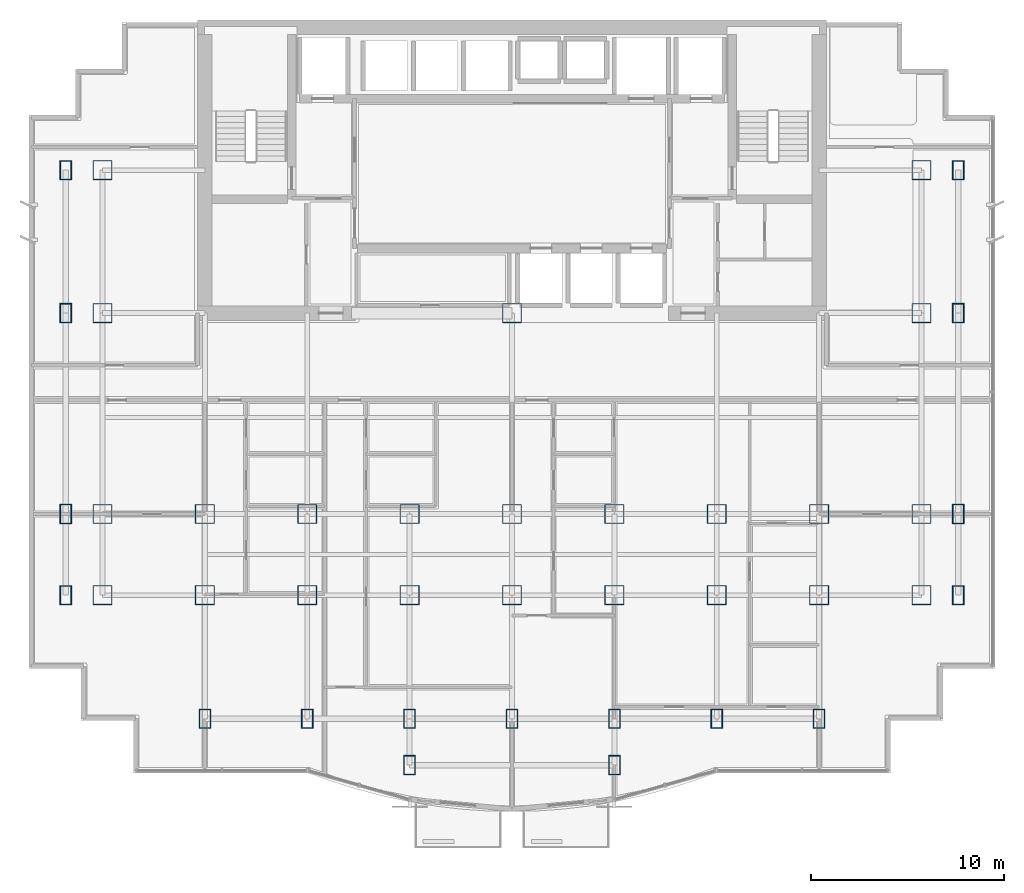
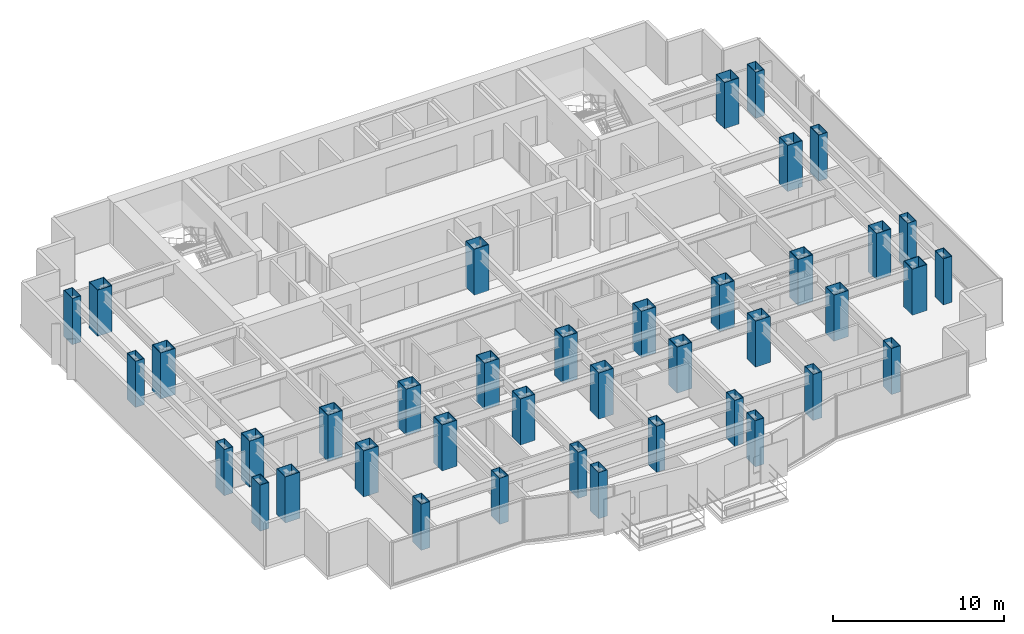
# One storey, part 1 of 12: 40 columns.
"""IFC4 building model written with IfcOpenShell, lengths in metres."""

from ifc_helpers import new_model, si_unit, direction, frame, origin, origin_2d, place, context, subcontext, project, spatial, hollow_rectangle, extrude, material, material_profile, profile_set, type_object, element, save


model = new_model("IFC4")

# Units and contexts
model_context = context("Model", 3, precision=1e-05, world=origin(), true_north=direction((0.0, 1.0)))
body_context = subcontext(model_context, "Body", "Model", "MODEL_VIEW")
ifc_project = project(units=[si_unit("LENGTHUNIT", "METRE"), si_unit("AREAUNIT", "SQUARE_METRE"), si_unit("VOLUMEUNIT", "CUBIC_METRE"), si_unit("PLANEANGLEUNIT", "RADIAN"), si_unit("MASSUNIT", "GRAM", prefix="KILO")], contexts=[model_context])

# Site, building, storey
site_placement = place(None, origin())
site = spatial("IfcSite", under=ifc_project, at=site_placement, CompositionType="ELEMENT")
building_placement = place(site_placement, origin())
building = spatial("IfcBuilding", under=site, at=building_placement, Name="Qianlan Lanfeng Residences", CompositionType="ELEMENT")
storey_placement = place(building_placement, frame((0.0, 0.0, 85.0)))
storey = spatial("IfcBuildingStorey", under=building, at=storey_placement, Name="L22", CompositionType="ELEMENT", Elevation=85.0)

# Columns
ifc_material = material(Name="Steel SN490B", Category="steel")
ifc_material_profile_1 = material_profile(ifc_material, hollow_rectangle(XDim=1.0, YDim=1.0, WallThickness=0.035888671875, at=origin_2d()), Name="BOX 1000x1000x36")
ifc_profile_set_1 = profile_set([ifc_material_profile_1], Name="Steel SN490B")
column_type_1 = type_object("IfcColumnType", Name="C-B1200", PredefinedType="COLUMN", material=ifc_profile_set_1)
for number, where, z_axis, x_axis, name in (
    (1, (26.5, 25.199951171875, 0.0), (0.0, 0.0, 1.0), (1.0, 0.0, 0.0), "L22 Structural Column CP_26.5_25.2"),
    (2, (10.60009765625, 14.800048828125, 0.0), (0.0, 0.0, 1.0), (1.0, 0.0, 0.0), "L22 Structural Column M_10.60_14.80"),
    (3, (10.60009765625, 10.60009765625, 0.0), (0.0, 0.0, 1.0), (1.0, 0.0, 0.0), "L22 Structural Column G_10.60_10.60"),
    (4, (15.89990234375, 14.800048828125, 0.0), (0.0, 0.0, 1.0), (1.0, 0.0, 0.0), "L22 Structural Column M_15.90_14.80"),
    (5, (15.89990234375, 10.60009765625, 0.0), (0.0, 0.0, 1.0), (1.0, 0.0, 0.0), "L22 Structural Column G_15.90_10.60"),
    (6, (21.199951171875, 14.800048828125, 0.0), (0.0, 0.0, 1.0), (1.0, 0.0, 0.0), "L22 Structural Column M_21.20_14.80"),
    (7, (21.199951171875, 10.60009765625, 0.0), (0.0, 0.0, 1.0), (1.0, 0.0, 0.0), "L22 Structural Column G_21.20_10.60"),
    (8, (26.5, 14.800048828125, 0.0), (0.0, 0.0, 1.0), (1.0, 0.0, 0.0), "L22 Structural Column M_26.50_14.80"),
    (9, (26.5, 10.60009765625, 0.0), (0.0, 0.0, 1.0), (1.0, 0.0, 0.0), "L22 Structural Column G_26.50_10.60"),
    (10, (31.800048828125, 14.800048828125, 0.0), (0.0, 0.0, 1.0), (1.0, 0.0, 0.0), "L22 Structural Column M_31.80_14.80"),
    (11, (31.800048828125, 10.60009765625, 0.0), (0.0, 0.0, 1.0), (1.0, 0.0, 0.0), "L22 Structural Column G_31.80_10.60"),
    (12, (37.10009765625, 14.800048828125, 0.0), (0.0, 0.0, 1.0), (1.0, 0.0, 0.0), "L22 Structural Column M_37.10_14.80"),
    (13, (37.10009765625, 10.60009765625, 0.0), (0.0, 0.0, 1.0), (1.0, 0.0, 0.0), "L22 Structural Column G_37.10_10.60"),
    (14, (42.39990234375, 14.800048828125, 0.0), (0.0, 0.0, 1.0), (1.0, 0.0, 0.0), "L22 Structural Column M_42.40_14.80"),
    (15, (42.39990234375, 10.60009765625, 0.0), (0.0, 0.0, 1.0), (1.0, 0.0, 0.0), "L22 Structural Column G_42.40_10.60"),
    (16, (5.300048828125, 10.60009765625, 0.0), (0.0, 0.0, 1.0), (1.0, 0.0, 0.0), "L22 Structural Column W_5.30_10.60"),
    (17, (5.300048828125, 14.800048828125, 0.0), (0.0, 0.0, 1.0), (1.0, 0.0, 0.0), "L22 Structural Column W_5.30_14.80"),
    (18, (5.300048828125, 25.199951171875, 0.0), (0.0, 0.0, 1.0), (1.0, 0.0, 0.0), "L22 Structural Column W_5.30_25.20"),
    (19, (5.300048828125, 32.60009765625, 0.0), (0.0, 0.0, 1.0), (1.0, 0.0, 0.0), "L22 Structural Column W_5.30_32.60"),
    (20, (47.699951171875, 10.60009765625, 0.0), (0.0, 0.0, 1.0), (1.0, 0.0, 0.0), "L22 Structural Column W_47.70_10.60"),
    (21, (47.699951171875, 14.800048828125, 0.0), (0.0, 0.0, 1.0), (1.0, 0.0, 0.0), "L22 Structural Column W_47.70_14.80"),
    (22, (47.699951171875, 25.199951171875, 0.0), (0.0, 0.0, 1.0), (1.0, 0.0, 0.0), "L22 Structural Column W_47.70_25.20"),
    (23, (47.699951171875, 32.60009765625, 0.0), (0.0, 0.0, 1.0), (1.0, 0.0, 0.0), "L22 Structural Column W_47.70_32.60"),
):
    element("IfcColumn", number, at=place(storey_placement, frame(where, z_axis=z_axis, x_axis=x_axis)), inside=storey, type_object=column_type_1, Name=name, PredefinedType="COLUMN", context=body_context, shape_type="SweptSolid", body=[
        extrude(hollow_rectangle(XDim=1.0, YDim=1.0, WallThickness=0.035888671875, at=origin_2d()), origin(), (0.0, 0.0, 1.0), 3.300048828125),
    ])
ifc_material_profile_2 = material_profile(ifc_material, hollow_rectangle(XDim=0.60009765625, YDim=1.0, WallThickness=0.031982421875, at=origin_2d()), Name="BOX 1000x600x32")
ifc_profile_set_2 = profile_set([ifc_material_profile_2], Name="Steel SN490B")
column_type_2 = type_object("IfcColumnType", Name="CE-B1100", PredefinedType="COLUMN", material=ifc_profile_set_2)
for number, where, z_axis, x_axis, name in (
    (24, (21.199951171875, 1.800048828125, 0.0), (0.0, 0.0, 1.0), (1.0, 0.0, 0.0), "L22 Structural Column P_21.20_1.80"),
    (25, (31.800048828125, 1.800048828125, 0.0), (0.0, 0.0, 1.0), (1.0, 0.0, 0.0), "L22 Structural Column P_31.80_1.80"),
    (26, (10.60009765625, 4.199951171875, 0.0), (0.0, 0.0, 1.0), (1.0, 0.0, 0.0), "L22 Structural Column S_10.60_4.20"),
    (27, (15.89990234375, 4.199951171875, 0.0), (0.0, 0.0, 1.0), (1.0, 0.0, 0.0), "L22 Structural Column S_15.90_4.20"),
    (28, (21.199951171875, 4.199951171875, 0.0), (0.0, 0.0, 1.0), (1.0, 0.0, 0.0), "L22 Structural Column S_21.20_4.20"),
    (29, (26.5, 4.199951171875, 0.0), (0.0, 0.0, 1.0), (1.0, 0.0, 0.0), "L22 Structural Column S_26.50_4.20"),
    (30, (31.800048828125, 4.199951171875, 0.0), (0.0, 0.0, 1.0), (1.0, 0.0, 0.0), "L22 Structural Column S_31.80_4.20"),
    (31, (37.10009765625, 4.199951171875, 0.0), (0.0, 0.0, 1.0), (1.0, 0.0, 0.0), "L22 Structural Column S_37.10_4.20"),
    (32, (42.39990234375, 4.199951171875, 0.0), (0.0, 0.0, 1.0), (1.0, 0.0, 0.0), "L22 Structural Column S_42.40_4.20"),
    (33, (3.39990234375, 10.60009765625, 0.0), (0.0, 0.0, 1.0), (1.0, 0.0, 0.0), "L22 Structural Column W_3.40_10.60"),
    (34, (3.39990234375, 14.800048828125, 0.0), (0.0, 0.0, 1.0), (1.0, 0.0, 0.0), "L22 Structural Column W_3.40_14.80"),
    (35, (3.39990234375, 25.199951171875, 0.0), (0.0, 0.0, 1.0), (1.0, 0.0, 0.0), "L22 Structural Column W_3.40_25.20"),
    (36, (3.39990234375, 32.60009765625, 0.0), (0.0, 0.0, 1.0), (1.0, 0.0, 0.0), "L22 Structural Column W_3.40_32.60"),
    (37, (49.60009765625, 10.60009765625, 0.0), (0.0, 0.0, 1.0), (1.0, 0.0, 0.0), "L22 Structural Column W_49.60_10.60"),
    (38, (49.60009765625, 14.800048828125, 0.0), (0.0, 0.0, 1.0), (1.0, 0.0, 0.0), "L22 Structural Column W_49.60_14.80"),
    (39, (49.60009765625, 25.199951171875, 0.0), (0.0, 0.0, 1.0), (1.0, 0.0, 0.0), "L22 Structural Column W_49.60_25.20"),
    (40, (49.60009765625, 32.60009765625, 0.0), (0.0, 0.0, 1.0), (1.0, 0.0, 0.0), "L22 Structural Column W_49.60_32.60"),
):
    element("IfcColumn", number, at=place(storey_placement, frame(where, z_axis=z_axis, x_axis=x_axis)), inside=storey, type_object=column_type_2, Name=name, PredefinedType="COLUMN", context=body_context, shape_type="SweptSolid", body=[
        extrude(hollow_rectangle(XDim=0.60009765625, YDim=1.0, WallThickness=0.031982421875, at=origin_2d()), origin(), (0.0, 0.0, 1.0), 3.300048828125),
    ])

save(model, "model.ifc")
